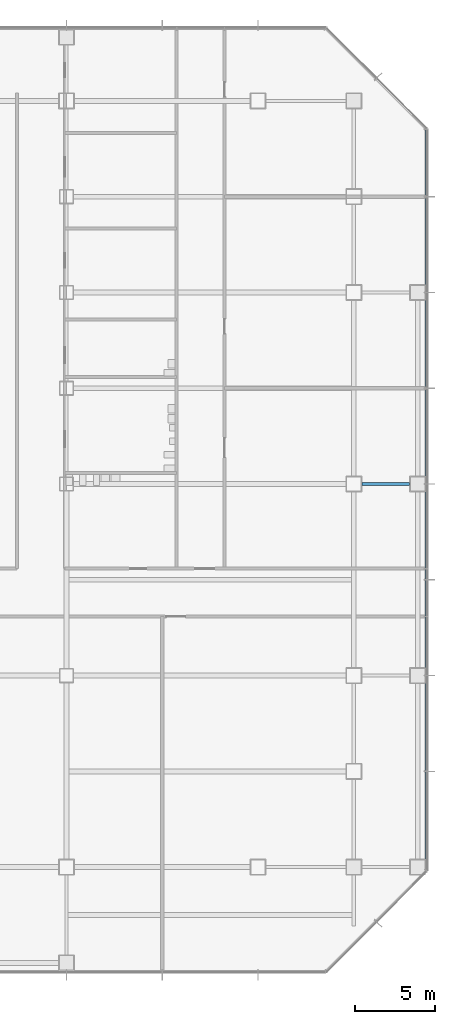
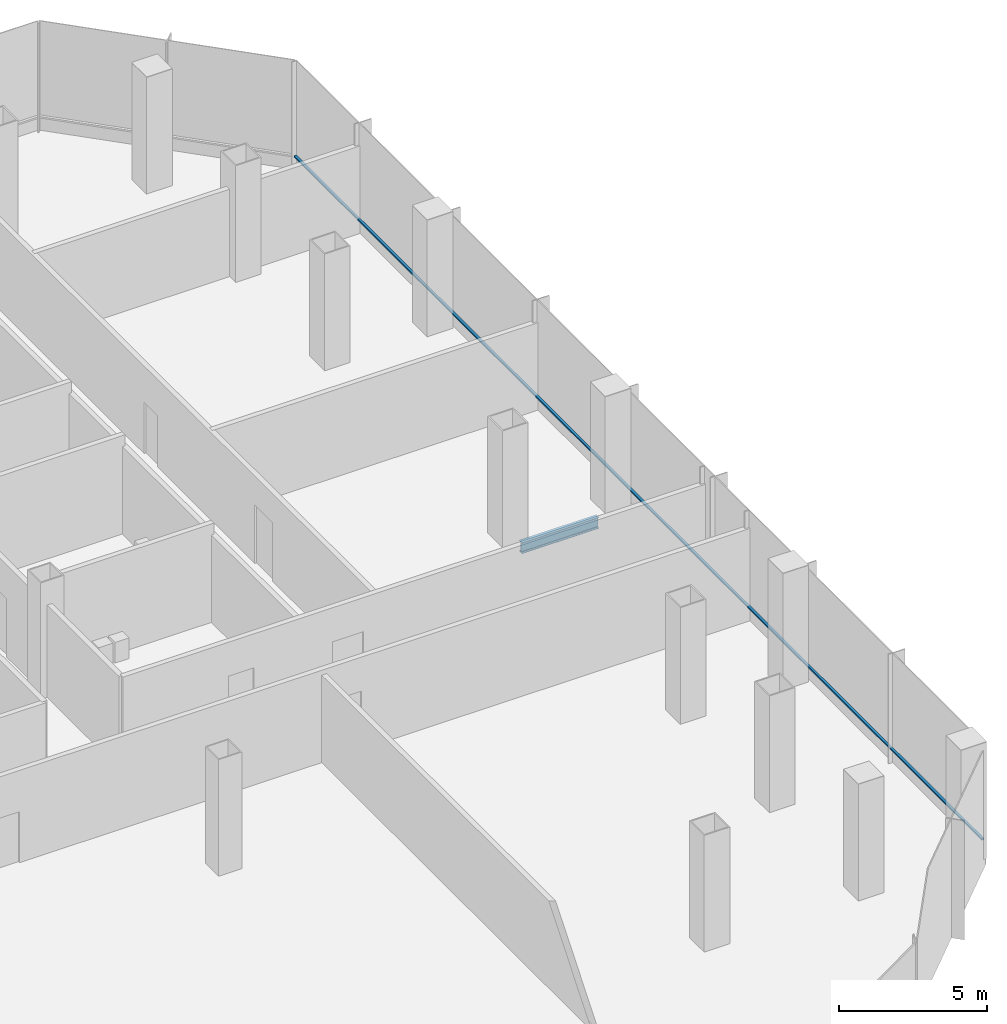
# One storey, part 18 of 34: 1 beam, 1 member, 1 element without a shape of its own.
"""IFC4 building model written with IfcOpenShell, lengths in metres."""

from ifc_helpers import new_model, si_unit, direction, frame, origin, origin_2d, place, context, subcontext, project, spatial, rectangle, i_section, extrude, material, material_profile, profile_set, type_object, element, aggregate, save


model = new_model("IFC4")

# Units and contexts
model_context = context("Model", 3, precision=1e-05, world=origin(), true_north=direction((0.0, 1.0)))
body_context = subcontext(model_context, "Body", "Model", "MODEL_VIEW")
ifc_project = project(units=[si_unit("LENGTHUNIT", "METRE"), si_unit("AREAUNIT", "SQUARE_METRE"), si_unit("VOLUMEUNIT", "CUBIC_METRE"), si_unit("PLANEANGLEUNIT", "RADIAN"), si_unit("MASSUNIT", "GRAM", prefix="KILO")], contexts=[model_context])

# Site, building, storey
site_placement = place(None, origin())
site = spatial("IfcSite", under=ifc_project, at=site_placement, CompositionType="ELEMENT")
building_placement = place(site_placement, origin())
building = spatial("IfcBuilding", under=site, at=building_placement, Name="Sorahane Residences", CompositionType="ELEMENT")
storey_placement = place(building_placement, frame((0.0, 0.0, 39.60009765625)))
storey = spatial("IfcBuildingStorey", under=building, at=storey_placement, Name="L06", CompositionType="ELEMENT", Elevation=39.60009765625)

# Curtain wall, member
ifc_material_1 = material(Name="Dark low-e glass and black anodised aluminium", Category="aluminium")
curtain_wall_type = type_object("IfcCurtainWallType", Name="Curtain wall CW-3 Podium unitised wall", PredefinedType="NOTDEFINED", material=ifc_material_1)
curtain_wall_placement = place(storey_placement, origin())
curtain_wall = element("IfcCurtainWall", 1, at=curtain_wall_placement, inside=storey, type_object=curtain_wall_type, Name="CW-3 curtain wall L06 E1", PredefinedType="NOTDEFINED")
ifc_material_2 = material(Name="Black anodised aluminium", Category="aluminium")
ifc_material_profile_1 = material_profile(ifc_material_2, rectangle(XDim=0.10009765625, YDim=0.06005859375, at=origin_2d()), Name="Curtain wall transom CW-3 black anodised aluminium 60x100")
ifc_profile_set_1 = profile_set([ifc_material_profile_1], Name="Black anodised aluminium")
member_type = type_object("IfcMemberType", Name="Curtain wall transom CW-3 black anodised aluminium 60x100", PredefinedType="USERDEFINED", material=ifc_profile_set_1)
member_placement = place(storey_placement, frame((70.530029296875, -0.198486328125, 0.599853515625), z_axis=(0.0, 1.0, 0.0), x_axis=(-1.0, 0.0, 0.0)))
member = element("IfcMember", 2, at=member_placement, type_object=member_type, Name="CW-3 transom L06 E1", ObjectType="TRANSOM", PredefinedType="USERDEFINED", context=body_context, shape_type="SweptSolid", body=[
    extrude(rectangle(XDim=0.10009765625, YDim=0.06005859375, at=origin_2d()), origin(), (0.0, 0.0, 1.0), 46.39697265625),
])
aggregate(curtain_wall, [member])

# Beam
ifc_material_3 = material(Name="Steel Q355B", Category="steel")
ifc_material_profile_2 = material_profile(ifc_material_3, i_section(OverallWidth=0.199951171875, OverallDepth=0.449951171875, WebThickness=0.009033203125, FlangeThickness=0.013916015625, FilletRadius=0.02001953125, at=origin_2d()), Name="HN 450x200x9x14")
ifc_profile_set_2 = profile_set([ifc_material_profile_2], Name="Steel Q355B")
beam_type = type_object("IfcBeamType", Name="Steel floor beam HN 450x200x9x14 Q355B", PredefinedType="BEAM", material=ifc_profile_set_2)
beam_placement = place(storey_placement, frame((66.5, 24.0, -0.625), z_axis=(1.0, 0.0, 0.0), x_axis=(0.0, 1.0, 0.0)))
element("IfcBeam", 3, at=beam_placement, inside=storey, type_object=beam_type, Name="Beam L06 015", PredefinedType="BEAM", context=body_context, shape_type="SweptSolid", body=[
    extrude(i_section(OverallWidth=0.199951171875, OverallDepth=0.449951171875, WebThickness=0.009033203125, FlangeThickness=0.013916015625, FilletRadius=0.02001953125, at=origin_2d()), origin(), (0.0, 0.0, 1.0), 3.0),
])

save(model, "model.ifc")
